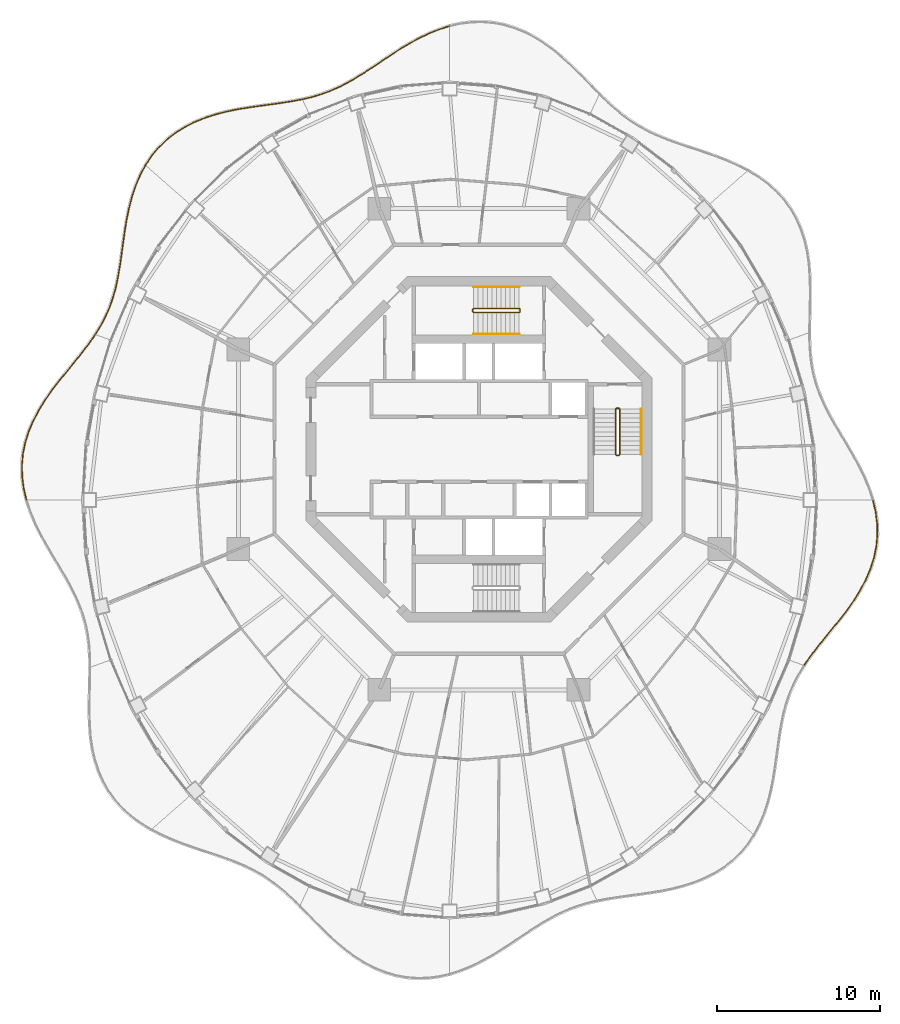
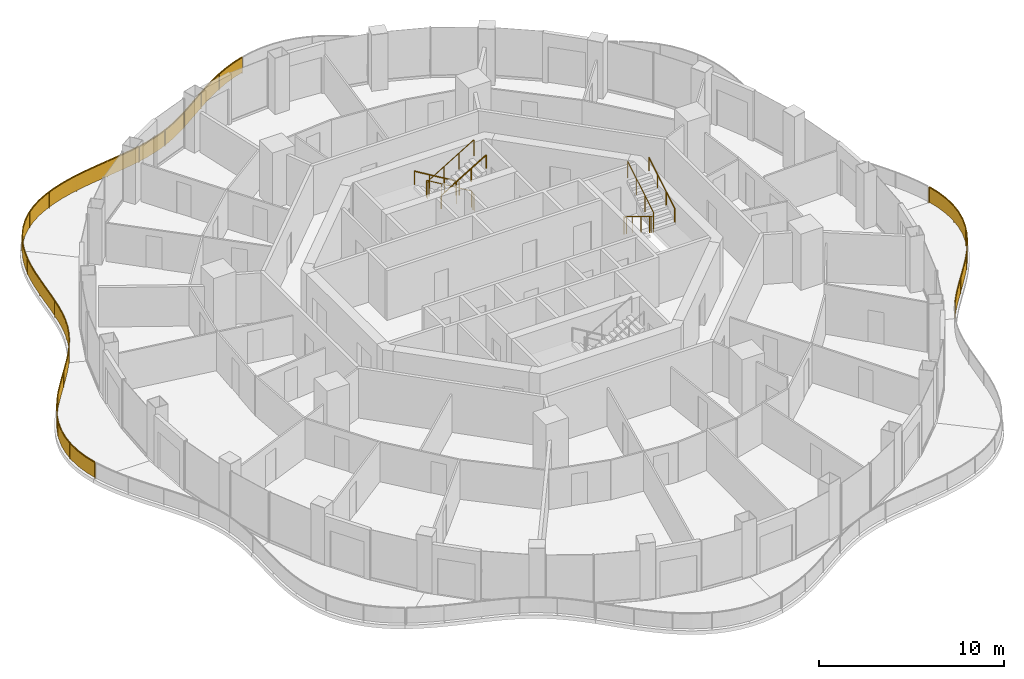
# One storey, part 16 of 17: 10 railings.
"""IFC4 building model written with IfcOpenShell, lengths in metres."""

from ifc_helpers import new_model, si_unit, direction, frame, origin, origin_2d, place, context, subcontext, project, spatial, polyline, rectangle, circle, outline, extrude, material, type_object, element, save


model = new_model("IFC4")

# Units and contexts
model_context = context("Model", 3, precision=1e-05, world=origin(), true_north=direction((0.0, 1.0)))
body_context = subcontext(model_context, "Body", "Model", "MODEL_VIEW")
ifc_project = project(units=[si_unit("LENGTHUNIT", "METRE"), si_unit("AREAUNIT", "SQUARE_METRE"), si_unit("VOLUMEUNIT", "CUBIC_METRE"), si_unit("PLANEANGLEUNIT", "RADIAN"), si_unit("MASSUNIT", "GRAM", prefix="KILO")], contexts=[model_context])

# Site, building, storey
site_placement = place(None, origin())
site = spatial("IfcSite", under=ifc_project, at=site_placement, CompositionType="ELEMENT")
building_placement = place(site_placement, origin())
building = spatial("IfcBuilding", under=site, at=building_placement, Name="Nagisa Residences", CompositionType="ELEMENT")
storey_placement = place(building_placement, frame((0.0, 0.0, 295.5)))
storey = spatial("IfcBuildingStorey", under=building, at=storey_placement, Name="L75", CompositionType="ELEMENT", Elevation=295.5)

# Railings
ifc_material_1 = material(Name="Stainless steel 316", Category="steel")
railing_type_1 = type_object("IfcRailingType", Name="BALCONY GUARD 1100", PredefinedType="BALUSTRADE", material=ifc_material_1)
railing_1_placement = place(storey_placement, frame((-1.8369140625, 25.9892578125, 0.0)))
element("IfcRailing", 1, at=railing_1_placement, inside=storey, type_object=railing_type_1, Name="guard:L75:bal04-0", PredefinedType="BALUSTRADE", context=body_context, shape_type="SweptSolid", body=[
    extrude(outline(polyline([(-0.59765625, -0.21728515625), (0.007568359375, -0.02392578125), (-0.007568359375, 0.02392578125), (-0.61474609375, -0.169921875), (-1.2548828125, -0.427001953125), (-1.87890625, -0.725830078125), (-2.484619140625, -1.05712890625), (-3.072509765625, -1.4111328125), (-3.624755859375, -1.774658203125), (-4.178466796875, -2.14306640625), (-4.71875, -2.504638671875), (-5.249267578125, -2.85107421875), (-5.774169921875, -3.175537109375), (-6.280517578125, -3.467041015625), (-6.80712890625, -3.732177734375), (-7.341064453125, -3.96435546875), (-7.886962890625, -4.163330078125), (-8.447998046875, -4.33056640625), (-8.984375, -4.458740234375), (-8.97265625, -4.507568359375), (-8.434814453125, -4.37890625), (-7.871337890625, -4.210693359375), (-7.322509765625, -4.0107421875), (-6.78564453125, -3.777587890625), (-6.256591796875, -3.510986328125), (-5.748291015625, -3.218505859375), (-5.222412109375, -2.8935546875), (-4.69091796875, -2.546630859375), (-4.150634765625, -2.1845703125), (-3.596923828125, -1.816162109375), (-3.045654296875, -1.45361328125), (-2.459716796875, -1.1005859375), (-1.85595703125, -0.770263671875), (-1.23486328125, -0.472900390625), (-0.59765625, -0.21728515625)])), frame((0.0, 0.0, 1.050048828125)), (0.0, 0.0, 1.0), 0.050048828125),
    extrude(outline(polyline([(-0.603759765625, -0.2001953125), (0.002197265625, -0.006591796875), (-0.002197265625, 0.006591796875), (-0.608642578125, -0.18701171875), (-1.247802734375, -0.443603515625), (-1.87060546875, -0.74169921875), (-2.4755859375, -1.07275390625), (-3.062744140625, -1.426513671875), (-3.61474609375, -1.78955078125), (-4.16845703125, -2.157958984375), (-4.708740234375, -2.519775390625), (-5.239501953125, -2.866455078125), (-5.764892578125, -3.19091796875), (-6.27197265625, -3.48291015625), (-6.79931640625, -3.74853515625), (-7.33447265625, -3.98095703125), (-7.88134765625, -4.180419921875), (-8.443115234375, -4.347900390625), (-8.980224609375, -4.476318359375), (-8.976806640625, -4.489990234375), (-8.439697265625, -4.361572265625), (-7.876953125, -4.193603515625), (-7.3291015625, -3.994140625), (-6.79345703125, -3.76123046875), (-6.26513671875, -3.4951171875), (-5.757568359375, -3.203125), (-5.232177734375, -2.878173828125), (-4.700927734375, -2.531494140625), (-4.16064453125, -2.169677734375), (-3.60693359375, -1.80126953125), (-3.055419921875, -1.438232421875), (-2.46875, -1.0849609375), (-1.8642578125, -0.75439453125), (-1.241943359375, -0.456298828125), (-0.603759765625, -0.2001953125)])), frame((0.0, 0.0, 0.06005859375)), (0.0, 0.0, 1.0), 0.989990234375),
    extrude(rectangle(XDim=0.0400390625, YDim=0.0400390625, at=origin_2d()), origin(), (0.0, 0.0, 1.0), 1.050048828125),
    extrude(rectangle(XDim=0.0400390625, YDim=0.0400390625, at=origin_2d()), frame((-1.871826171875, -0.75048828125, 0.0)), (0.0, 0.0, 1.0), 1.050048828125),
    extrude(rectangle(XDim=0.0400390625, YDim=0.0400390625, at=origin_2d()), frame((-3.602294921875, -1.789794921875, 0.0)), (0.0, 0.0, 1.0), 1.050048828125),
    extrude(rectangle(XDim=0.0400390625, YDim=0.0400390625, at=origin_2d()), frame((-5.286865234375, -2.90380859375, 0.0)), (0.0, 0.0, 1.0), 1.050048828125),
    extrude(rectangle(XDim=0.0400390625, YDim=0.0400390625, at=origin_2d()), frame((-7.058349609375, -3.86865234375, 0.0)), (0.0, 0.0, 1.0), 1.050048828125),
    extrude(rectangle(XDim=0.0400390625, YDim=0.0400390625, at=origin_2d()), frame((-8.978515625, -4.483154296875, 0.0)), (0.0, 0.0, 1.0), 1.050048828125),
])
railing_2_placement = place(storey_placement, frame((-10.885498046875, 21.492919921875, 0.0)))
element("IfcRailing", 2, at=railing_2_placement, inside=storey, type_object=railing_type_1, Name="guard:L75:bal05-0", PredefinedType="BALUSTRADE", context=body_context, shape_type="SweptSolid", body=[
    extrude(outline(polyline([(-0.57373046875, -0.135498046875), (0.004638671875, -0.024658203125), (-0.004638671875, 0.024658203125), (-0.58251953125, -0.086181640625), (-1.22314453125, -0.188232421875), (-1.8828125, -0.2802734375), (-2.55859375, -0.371337890625), (-3.24609375, -0.47119140625), (-3.926025390625, -0.578857421875), (-4.619873046875, -0.72216796875), (-5.305908203125, -0.899658203125), (-5.97607421875, -1.1181640625), (-6.623046875, -1.38330078125), (-7.2265625, -1.68798828125), (-7.80419921875, -2.055908203125), (-8.33740234375, -2.476806640625), (-8.8212890625, -2.948974609375), (-9.2529296875, -3.469970703125), (-9.60302734375, -3.995849609375), (-9.5615234375, -4.023681640625), (-9.212890625, -3.499755859375), (-8.78466796875, -2.983154296875), (-8.30419921875, -2.514404296875), (-7.775390625, -2.096923828125), (-7.20166015625, -1.7314453125), (-6.60205078125, -1.4287109375), (-5.958984375, -1.1650390625), (-5.291748046875, -0.947509765625), (-4.608642578125, -0.77099609375), (-3.917236328125, -0.628173828125), (-3.23876953125, -0.5205078125), (-2.5517578125, -0.421142578125), (-1.8759765625, -0.330078125), (-1.2158203125, -0.237548828125), (-0.57373046875, -0.135498046875)])), frame((0.0, 0.0, 1.050048828125)), (0.0, 0.0, 1.0), 0.050048828125),
    extrude(outline(polyline([(-0.576904296875, -0.11767578125), (0.001220703125, -0.0068359375), (-0.001220703125, 0.0068359375), (-0.579345703125, -0.10400390625), (-1.220458984375, -0.2060546875), (-1.88037109375, -0.29833984375), (-2.55615234375, -0.389404296875), (-3.243408203125, -0.489013671875), (-3.9228515625, -0.5966796875), (-4.61572265625, -0.73974609375), (-5.30078125, -0.916748046875), (-5.969970703125, -1.135009765625), (-6.615478515625, -1.399658203125), (-7.217529296875, -1.70361328125), (-7.7939453125, -2.07080078125), (-8.325439453125, -2.490234375), (-8.80810546875, -2.96142578125), (-9.238525390625, -3.480712890625), (-9.588134765625, -4.005859375), (-9.576416015625, -4.013671875), (-9.227294921875, -3.489013671875), (-8.7978515625, -2.970703125), (-8.316162109375, -2.5009765625), (-7.78564453125, -2.08203125), (-7.210693359375, -1.7158203125), (-6.609619140625, -1.412353515625), (-5.965087890625, -1.148193359375), (-5.296875, -0.930419921875), (-4.61279296875, -0.75341796875), (-3.92041015625, -0.6103515625), (-3.241455078125, -0.502685546875), (-2.55419921875, -0.403076171875), (-1.87841796875, -0.31201171875), (-1.218505859375, -0.2197265625), (-0.576904296875, -0.11767578125)])), frame((0.0, 0.0, 0.06005859375)), (0.0, 0.0, 1.0), 0.989990234375),
    extrude(rectangle(XDim=0.0400390625, YDim=0.0400390625, at=origin_2d()), origin(), (0.0, 0.0, 1.0), 1.050048828125),
    extrude(rectangle(XDim=0.0400390625, YDim=0.0400390625, at=origin_2d()), frame((-2.131591796875, -0.339111328125, 0.0)), (0.0, 0.0, 1.0), 1.050048828125),
    extrude(rectangle(XDim=0.0400390625, YDim=0.0400390625, at=origin_2d()), frame((-4.263671875, -0.674072265625, 0.0)), (0.0, 0.0, 1.0), 1.050048828125),
    extrude(rectangle(XDim=0.0400390625, YDim=0.0400390625, at=origin_2d()), frame((-6.328857421875, -1.289794921875, 0.0)), (0.0, 0.0, 1.0), 1.050048828125),
    extrude(rectangle(XDim=0.0400390625, YDim=0.0400390625, at=origin_2d()), frame((-8.178955078125, -2.383544921875, 0.0)), (0.0, 0.0, 1.0), 1.050048828125),
    extrude(rectangle(XDim=0.0400390625, YDim=0.0400390625, at=origin_2d()), frame((-9.582275390625, -4.009765625, 0.0)), (0.0, 0.0, 1.0), 1.050048828125),
])
railing_3_placement = place(storey_placement, frame((-20.507080078125, 17.41650390625, 0.0)))
element("IfcRailing", 3, at=railing_3_placement, inside=storey, type_object=railing_type_1, Name="guard:L75:bal06-0", PredefinedType="BALUSTRADE", context=body_context, shape_type="SweptSolid", body=[
    extrude(outline(polyline([(-0.291259765625, -0.601806640625), (0.022216796875, -0.01171875), (-0.022216796875, 0.01171875), (-0.336669921875, -0.580322265625), (-0.61767578125, -1.24853515625), (-0.846435546875, -1.94287109375), (-1.029541015625, -2.654541015625), (-1.175537109375, -3.375244140625), (-1.28515625, -4.083984375), (-1.38623046875, -4.798583984375), (-1.48095703125, -5.50048828125), (-1.580322265625, -6.1845703125), (-1.69482421875, -6.84716796875), (-1.826904296875, -7.4736328125), (-1.99755859375, -8.08935546875), (-2.2060546875, -8.68310546875), (-2.45654296875, -9.2568359375), (-2.75, -9.814208984375), (-3.06396484375, -10.323974609375), (-3.021484375, -10.350341796875), (-2.70654296875, -9.839111328125), (-2.41162109375, -9.2783203125), (-2.15966796875, -8.70166015625), (-1.94970703125, -8.1044921875), (-1.778076171875, -7.4853515625), (-1.6455078125, -6.8564453125), (-1.531005859375, -6.1923828125), (-1.43115234375, -5.50732421875), (-1.33642578125, -4.805419921875), (-1.23583984375, -4.09130859375), (-1.126220703125, -3.384033203125), (-0.980712890625, -2.665771484375), (-0.798583984375, -1.95703125), (-0.57080078125, -1.26611328125), (-0.291259765625, -0.601806640625)])), frame((0.0, 0.0, 1.050048828125)), (0.0, 0.0, 1.0), 0.050048828125),
    extrude(outline(polyline([(-0.3076171875, -0.593994140625), (0.006103515625, -0.003173828125), (-0.006103515625, 0.003173828125), (-0.3203125, -0.588134765625), (-0.600830078125, -1.2548828125), (-0.829345703125, -1.947998046875), (-1.011962890625, -2.65869140625), (-1.15771484375, -3.37841796875), (-1.267333984375, -4.086669921875), (-1.3681640625, -4.801025390625), (-1.462890625, -5.5029296875), (-1.5625, -6.187255859375), (-1.677001953125, -6.8505859375), (-1.809326171875, -7.477783203125), (-1.980224609375, -8.0947265625), (-2.189453125, -8.689697265625), (-2.4404296875, -9.2646484375), (-2.734375, -9.8232421875), (-3.048583984375, -10.33349609375), (-3.036865234375, -10.3408203125), (-2.72216796875, -9.830078125), (-2.427734375, -9.2705078125), (-2.17626953125, -8.695068359375), (-1.967041015625, -8.09912109375), (-1.795654296875, -7.481201171875), (-1.663330078125, -6.85302734375), (-1.548828125, -6.189697265625), (-1.44921875, -5.5048828125), (-1.3544921875, -4.802978515625), (-1.253662109375, -4.088623046875), (-1.14404296875, -3.380859375), (-0.998291015625, -2.66162109375), (-0.815673828125, -1.951904296875), (-0.587646484375, -1.259765625), (-0.3076171875, -0.593994140625)])), frame((0.0, 0.0, 0.06005859375)), (0.0, 0.0, 1.0), 0.989990234375),
    extrude(rectangle(XDim=0.0400390625, YDim=0.0400390625, at=origin_2d()), origin(), (0.0, 0.0, 1.0), 1.050048828125),
    extrude(rectangle(XDim=0.0400390625, YDim=0.0400390625, at=origin_2d()), frame((-0.835693359375, -2.00146484375, 0.0)), (0.0, 0.0, 1.0), 1.050048828125),
    extrude(rectangle(XDim=0.0400390625, YDim=0.0400390625, at=origin_2d()), frame((-1.2666015625, -4.130859375, 0.0)), (0.0, 0.0, 1.0), 1.050048828125),
    extrude(rectangle(XDim=0.0400390625, YDim=0.0400390625, at=origin_2d()), frame((-1.572021484375, -6.28369140625, 0.0)), (0.0, 0.0, 1.0), 1.050048828125),
    extrude(rectangle(XDim=0.0400390625, YDim=0.0400390625, at=origin_2d()), frame((-2.078369140625, -8.394775390625, 0.0)), (0.0, 0.0, 1.0), 1.050048828125),
    extrude(rectangle(XDim=0.0400390625, YDim=0.0400390625, at=origin_2d()), frame((-3.042724609375, -10.337158203125, 0.0)), (0.0, 0.0, 1.0), 1.050048828125),
])
railing_4_placement = place(storey_placement, frame((-23.59033203125, 7.02099609375, 0.0)))
element("IfcRailing", 4, at=railing_4_placement, inside=storey, type_object=railing_type_1, Name="guard:L75:bal07-0", PredefinedType="BALUSTRADE", context=body_context, shape_type="SweptSolid", body=[
    extrude(outline(polyline([(-0.34375, -0.5361328125), (0.0205078125, -0.014404296875), (-0.0205078125, 0.014404296875), (-0.38427734375, -0.5068359375), (-0.805908203125, -1.060546875), (-1.25341796875, -1.6181640625), (-1.71630859375, -2.184326171875), (-2.18212890625, -2.763671875), (-2.634521484375, -3.346435546875), (-3.066650390625, -3.96142578125), (-3.461669921875, -4.5966796875), (-3.8076171875, -5.251708984375), (-4.093017578125, -5.925048828125), (-4.30810546875, -6.60107421875), (-4.44970703125, -7.30322265625), (-4.51220703125, -8.014404296875), (-4.49462890625, -8.72900390625), (-4.400146484375, -9.443359375), (-4.242431640625, -10.10693359375), (-4.193603515625, -10.09521484375), (-4.350830078125, -9.43408203125), (-4.44482421875, -8.72509765625), (-4.4619140625, -8.015869140625), (-4.39990234375, -7.310546875), (-4.259765625, -6.61376953125), (-4.046142578125, -5.942626953125), (-3.76220703125, -5.273193359375), (-3.418212890625, -4.62158203125), (-3.024658203125, -3.9892578125), (-2.594482421875, -3.376220703125), (-2.14306640625, -2.794921875), (-1.67724609375, -2.216064453125), (-1.21435546875, -1.64990234375), (-0.766357421875, -1.09130859375), (-0.34375, -0.5361328125)])), frame((0.0, 0.0, 1.050048828125)), (0.0, 0.0, 1.0), 0.050048828125),
    extrude(outline(polyline([(-0.3583984375, -0.525634765625), (0.005859375, -0.00390625), (-0.005859375, 0.00390625), (-0.36962890625, -0.517333984375), (-0.791748046875, -1.071533203125), (-1.2392578125, -1.629638671875), (-1.7021484375, -2.19580078125), (-2.16796875, -2.77490234375), (-2.6201171875, -3.357177734375), (-3.051513671875, -3.971435546875), (-3.446044921875, -4.605712890625), (-3.791259765625, -5.259521484375), (-4.076171875, -5.931396484375), (-4.290771484375, -6.605712890625), (-4.431640625, -7.305908203125), (-4.494140625, -8.014892578125), (-4.476806640625, -8.7275390625), (-4.38232421875, -9.43994140625), (-4.224853515625, -10.102783203125), (-4.211181640625, -10.099365234375), (-4.36865234375, -9.4375), (-4.462646484375, -8.7265625), (-4.47998046875, -8.015380859375), (-4.41796875, -7.307861328125), (-4.277099609375, -6.609130859375), (-4.06298828125, -5.936279296875), (-3.778564453125, -5.265380859375), (-3.433837890625, -4.612548828125), (-3.039794921875, -3.979248046875), (-2.60888671875, -3.365478515625), (-2.1572265625, -2.78369140625), (-1.69140625, -2.20458984375), (-1.228515625, -1.638427734375), (-0.780517578125, -1.080322265625), (-0.3583984375, -0.525634765625)])), frame((0.0, 0.0, 0.06005859375)), (0.0, 0.0, 1.0), 0.989990234375),
    extrude(rectangle(XDim=0.0400390625, YDim=0.0400390625, at=origin_2d()), origin(), (0.0, 0.0, 1.0), 1.050048828125),
    extrude(rectangle(XDim=0.0400390625, YDim=0.0400390625, at=origin_2d()), frame((-1.388916015625, -1.82373046875, 0.0)), (0.0, 0.0, 1.0), 1.050048828125),
    extrude(rectangle(XDim=0.0400390625, YDim=0.0400390625, at=origin_2d()), frame((-2.802490234375, -3.62890625, 0.0)), (0.0, 0.0, 1.0), 1.050048828125),
    extrude(rectangle(XDim=0.0400390625, YDim=0.0400390625, at=origin_2d()), frame((-3.93505859375, -5.61669921875, 0.0)), (0.0, 0.0, 1.0), 1.050048828125),
    extrude(rectangle(XDim=0.0400390625, YDim=0.0400390625, at=origin_2d()), frame((-4.47119140625, -7.833251953125, 0.0)), (0.0, 0.0, 1.0), 1.050048828125),
    extrude(rectangle(XDim=0.0400390625, YDim=0.0400390625, at=origin_2d()), frame((-4.218017578125, -10.10107421875, 0.0)), (0.0, 0.0, 1.0), 1.050048828125),
])
railing_5_placement = place(storey_placement, frame((19.990478515625, -13.25634765625, 0.0)))
element("IfcRailing", 5, at=railing_5_placement, inside=storey, type_object=railing_type_1, Name="guard:L75:bal15-0", PredefinedType="BALUSTRADE", context=body_context, shape_type="SweptSolid", body=[
    extrude(outline(polyline([(0.343505859375, 0.5361328125), (-0.0205078125, 0.014404296875), (0.0205078125, -0.014404296875), (0.384033203125, 0.5068359375), (0.8056640625, 1.060546875), (1.25341796875, 1.617919921875), (1.71630859375, 2.184326171875), (2.181884765625, 2.763671875), (2.63427734375, 3.34619140625), (3.066650390625, 3.96142578125), (3.46142578125, 4.596435546875), (3.807373046875, 5.25146484375), (4.0927734375, 5.925048828125), (4.30810546875, 6.600830078125), (4.44970703125, 7.30322265625), (4.511962890625, 8.01416015625), (4.49462890625, 8.72900390625), (4.39990234375, 9.443359375), (4.2421875, 10.10693359375), (4.193359375, 10.09521484375), (4.3505859375, 9.43408203125), (4.44482421875, 8.72509765625), (4.461669921875, 8.015625), (4.39990234375, 7.310546875), (4.259765625, 6.613525390625), (4.0458984375, 5.942626953125), (3.761962890625, 5.27294921875), (3.41796875, 4.621337890625), (3.024658203125, 3.9892578125), (2.59423828125, 3.3759765625), (2.142822265625, 2.794921875), (1.67724609375, 2.216064453125), (1.21435546875, 1.649658203125), (0.76611328125, 1.09130859375), (0.343505859375, 0.5361328125)])), frame((0.0, 0.0, 1.050048828125)), (0.0, 0.0, 1.0), 0.050048828125),
    extrude(outline(polyline([(0.358154296875, 0.525634765625), (-0.005859375, 0.00390625), (0.005859375, -0.00390625), (0.369384765625, 0.517333984375), (0.79150390625, 1.071533203125), (1.2392578125, 1.62939453125), (1.7021484375, 2.19580078125), (2.167724609375, 2.77490234375), (2.619873046875, 3.35693359375), (3.051513671875, 3.971435546875), (3.44580078125, 4.60546875), (3.791015625, 5.25927734375), (4.075927734375, 5.931396484375), (4.290771484375, 6.60546875), (4.431640625, 7.305908203125), (4.493896484375, 8.0146484375), (4.476806640625, 8.7275390625), (4.382080078125, 9.43994140625), (4.224609375, 10.102783203125), (4.2109375, 10.099365234375), (4.368408203125, 9.4375), (4.462646484375, 8.7265625), (4.479736328125, 8.01513671875), (4.41796875, 7.307861328125), (4.277099609375, 6.60888671875), (4.062744140625, 5.936279296875), (3.7783203125, 5.26513671875), (3.43359375, 4.6123046875), (3.039794921875, 3.979248046875), (2.608642578125, 3.365234375), (2.156982421875, 2.78369140625), (1.69140625, 2.20458984375), (1.228515625, 1.63818359375), (0.7802734375, 1.080322265625), (0.358154296875, 0.525634765625)])), frame((0.0, 0.0, 0.06005859375)), (0.0, 0.0, 1.0), 0.989990234375),
    extrude(rectangle(XDim=0.0400390625, YDim=0.0400390625, at=origin_2d()), origin(), (0.0, 0.0, 1.0), 1.050048828125),
    extrude(rectangle(XDim=0.0400390625, YDim=0.0400390625, at=origin_2d()), frame((1.388916015625, 1.82373046875, 0.0)), (0.0, 0.0, 1.0), 1.050048828125),
    extrude(rectangle(XDim=0.0400390625, YDim=0.0400390625, at=origin_2d()), frame((2.80224609375, 3.62890625, 0.0)), (0.0, 0.0, 1.0), 1.050048828125),
    extrude(rectangle(XDim=0.0400390625, YDim=0.0400390625, at=origin_2d()), frame((3.93505859375, 5.61669921875, 0.0)), (0.0, 0.0, 1.0), 1.050048828125),
    extrude(rectangle(XDim=0.0400390625, YDim=0.0400390625, at=origin_2d()), frame((4.470947265625, 7.833251953125, 0.0)), (0.0, 0.0, 1.0), 1.050048828125),
    extrude(rectangle(XDim=0.0400390625, YDim=0.0400390625, at=origin_2d()), frame((4.2177734375, 10.10107421875, 0.0)), (0.0, 0.0, 1.0), 1.050048828125),
])
ifc_material_2 = material(Name="Stainless steel", Category="steel")
railing_type_2 = type_object("IfcRailingType", Name="Stair guard 1100", PredefinedType="GUARDRAIL", material=ifc_material_2)
railing_6_placement = place(storey_placement, frame((8.599609375, 2.52490234375, 0.0)))
element("IfcRailing", 6, at=railing_6_placement, inside=storey, type_object=railing_type_2, Name="L75 ST-E stair guard 1", PredefinedType="GUARDRAIL", context=body_context, shape_type="SweptSolid", body=[
    extrude(circle(Radius=0.02392578125, at=origin_2d()), frame((0.0, 0.0, 1.076171875), z_axis=(-1.0, 0.0, 0.0), x_axis=(0.0, -1.0, 0.0)), (0.0, 0.0, 1.0), 0.14990234375),
    extrude(circle(Radius=0.02392578125, at=origin_2d()), frame((-0.14990234375, 0.0, 1.076171875), z_axis=(-0.27434429532, -0.273006030465, 0.922064485248), x_axis=(0.705375805398, -0.708833529934, 0.0)), (0.0, 0.0, 1.0), 0.182373046875),
    extrude(circle(Radius=0.02392578125, at=origin_2d()), frame((-0.199951171875, -0.0498046875, 1.244140625), z_axis=(0.0, -0.857242210791, 0.514913383045), x_axis=(1.0, 0.0, 0.0)), (0.0, 0.0, 1.0), 3.266357421875),
    extrude(circle(Radius=0.02392578125, at=origin_2d()), frame((-0.199951171875, -2.849853515625, 2.92626953125), z_axis=(0.707106781187, -0.707106781187, 0.0), x_axis=(0.707106781187, 0.707106781187, 0.0)), (0.0, 0.0, 1.0), 0.07080078125),
    extrude(circle(Radius=0.02392578125, at=origin_2d()), frame((-0.14990234375, -2.89990234375, 2.92626953125), z_axis=(1.0, 0.0, 0.0), x_axis=(0.0, 1.0, 0.0)), (0.0, 0.0, 1.0), 0.14990234375),
    extrude(circle(Radius=0.02392578125, at=origin_2d()), frame((0.0, -2.89990234375, 2.92626953125), z_axis=(0.274582412415, 0.274582412415, 0.921525364591), x_axis=(-0.707106781187, 0.707106781187, 0.0)), (0.0, 0.0, 1.0), 0.182373046875),
    extrude(circle(Radius=0.02392578125, at=origin_2d()), frame((0.050048828125, -2.849853515625, 3.09423828125), z_axis=(0.0, 0.857242210791, 0.514913383045), x_axis=(-1.0, 0.0, 0.0)), (0.0, 0.0, 1.0), 3.266357421875),
    extrude(circle(Radius=0.02099609375, at=origin_2d()), origin(), (0.0, 0.0, 1.0), 1.052001953125),
    extrude(circle(Radius=0.02099609375, at=origin_2d()), frame((-0.14990234375, 0.0, 0.0)), (0.0, 0.0, 1.0), 1.052001953125),
    extrude(circle(Radius=0.02099609375, at=origin_2d()), frame((-0.199951171875, -0.0498046875, 0.168212890625)), (0.0, 0.0, 1.0), 1.052001953125),
    extrude(circle(Radius=0.02099609375, at=origin_2d()), frame((-0.199951171875, -0.983154296875, 0.728759765625)), (0.0, 0.0, 1.0), 1.052001953125),
    extrude(circle(Radius=0.02099609375, at=origin_2d()), frame((-0.199951171875, -1.91650390625, 1.28955078125)), (0.0, 0.0, 1.0), 1.052001953125),
    extrude(circle(Radius=0.02099609375, at=origin_2d()), frame((-0.199951171875, -2.849853515625, 1.85009765625)), (0.0, 0.0, 1.0), 1.052001953125),
    extrude(circle(Radius=0.02099609375, at=origin_2d()), frame((-0.14990234375, -2.89990234375, 1.85009765625)), (0.0, 0.0, 1.0), 1.052001953125),
    extrude(circle(Radius=0.02099609375, at=origin_2d()), frame((0.0, -2.89990234375, 1.85009765625)), (0.0, 0.0, 1.0), 1.052001953125),
    extrude(circle(Radius=0.02099609375, at=origin_2d()), frame((0.050048828125, -2.849853515625, 2.01806640625)), (0.0, 0.0, 1.0), 1.052001953125),
    extrude(circle(Radius=0.02099609375, at=origin_2d()), frame((0.050048828125, -1.91650390625, 2.57861328125)), (0.0, 0.0, 1.0), 1.052001953125),
    extrude(circle(Radius=0.02099609375, at=origin_2d()), frame((0.050048828125, -0.983154296875, 3.139404296875)), (0.0, 0.0, 1.0), 1.052001953125),
    extrude(circle(Radius=0.02099609375, at=origin_2d()), frame((0.050048828125, -0.0498046875, 3.699951171875)), (0.0, 0.0, 1.0), 1.052001953125),
])
railing_7_placement = place(storey_placement, frame((2.52490234375, 8.44970703125, 0.0)))
element("IfcRailing", 7, at=railing_7_placement, inside=storey, type_object=railing_type_2, Name="L75 ST-N stair guard 1", PredefinedType="GUARDRAIL", context=body_context, shape_type="SweptSolid", body=[
    extrude(circle(Radius=0.02392578125, at=origin_2d()), frame((0.0, 0.0, 1.076171875), z_axis=(0.0, 1.0, 0.0), x_axis=(-1.0, 0.0, 0.0)), (0.0, 0.0, 1.0), 0.14990234375),
    extrude(circle(Radius=0.02392578125, at=origin_2d()), frame((0.0, 0.14990234375, 1.076171875), z_axis=(-0.273006030465, 0.27434429532, 0.922064485248), x_axis=(-0.708833529934, -0.705375805398, 0.0)), (0.0, 0.0, 1.0), 0.182373046875),
    extrude(circle(Radius=0.02392578125, at=origin_2d()), frame((-0.0498046875, 0.199951171875, 1.244140625), z_axis=(-0.857242210791, 0.0, 0.514913383045), x_axis=(0.0, -1.0, 0.0)), (0.0, 0.0, 1.0), 3.266357421875),
    extrude(circle(Radius=0.02392578125, at=origin_2d()), frame((-2.849853515625, 0.199951171875, 2.92626953125), z_axis=(-0.707106781187, -0.707106781187, 0.0), x_axis=(0.707106781187, -0.707106781187, 0.0)), (0.0, 0.0, 1.0), 0.07080078125),
    extrude(circle(Radius=0.02392578125, at=origin_2d()), frame((-2.89990234375, 0.14990234375, 2.92626953125), z_axis=(0.0, -1.0, 0.0), x_axis=(1.0, 0.0, 0.0)), (0.0, 0.0, 1.0), 0.14990234375),
    extrude(circle(Radius=0.02392578125, at=origin_2d()), frame((-2.89990234375, 0.0, 2.92626953125), z_axis=(0.274582412415, -0.274582412415, 0.921525364591), x_axis=(0.707106781187, 0.707106781187, 0.0)), (0.0, 0.0, 1.0), 0.182373046875),
    extrude(circle(Radius=0.02392578125, at=origin_2d()), frame((-2.849853515625, -0.050048828125, 3.09423828125), z_axis=(0.857242210791, 0.0, 0.514913383045), x_axis=(0.0, 1.0, 0.0)), (0.0, 0.0, 1.0), 3.266357421875),
    extrude(circle(Radius=0.02099609375, at=origin_2d()), origin(), (0.0, 0.0, 1.0), 1.052001953125),
    extrude(circle(Radius=0.02099609375, at=origin_2d()), frame((0.0, 0.14990234375, 0.0)), (0.0, 0.0, 1.0), 1.052001953125),
    extrude(circle(Radius=0.02099609375, at=origin_2d()), frame((-0.0498046875, 0.199951171875, 0.168212890625)), (0.0, 0.0, 1.0), 1.052001953125),
    extrude(circle(Radius=0.02099609375, at=origin_2d()), frame((-0.983154296875, 0.199951171875, 0.728759765625)), (0.0, 0.0, 1.0), 1.052001953125),
    extrude(circle(Radius=0.02099609375, at=origin_2d()), frame((-1.91650390625, 0.199951171875, 1.28955078125)), (0.0, 0.0, 1.0), 1.052001953125),
    extrude(circle(Radius=0.02099609375, at=origin_2d()), frame((-2.849853515625, 0.199951171875, 1.85009765625)), (0.0, 0.0, 1.0), 1.052001953125),
    extrude(circle(Radius=0.02099609375, at=origin_2d()), frame((-2.89990234375, 0.14990234375, 1.85009765625)), (0.0, 0.0, 1.0), 1.052001953125),
    extrude(circle(Radius=0.02099609375, at=origin_2d()), frame((-2.89990234375, 0.0, 1.85009765625)), (0.0, 0.0, 1.0), 1.052001953125),
    extrude(circle(Radius=0.02099609375, at=origin_2d()), frame((-2.849853515625, -0.050048828125, 2.01806640625)), (0.0, 0.0, 1.0), 1.052001953125),
    extrude(circle(Radius=0.02099609375, at=origin_2d()), frame((-1.91650390625, -0.050048828125, 2.57861328125)), (0.0, 0.0, 1.0), 1.052001953125),
    extrude(circle(Radius=0.02099609375, at=origin_2d()), frame((-0.983154296875, -0.050048828125, 3.139404296875)), (0.0, 0.0, 1.0), 1.052001953125),
    extrude(circle(Radius=0.02099609375, at=origin_2d()), frame((-0.0498046875, -0.050048828125, 3.699951171875)), (0.0, 0.0, 1.0), 1.052001953125),
])
ifc_material_3 = material(Name="Stainless steel", Category="steel")
railing_type_3 = type_object("IfcRailingType", Name="Stair handrail 900", PredefinedType="HANDRAIL", material=ifc_material_3)
railing_8_placement = place(storey_placement, frame((9.974609375, -0.324951171875, 2.01806640625)))
element("IfcRailing", 8, at=railing_8_placement, inside=storey, type_object=railing_type_3, Name="L75 ST-E stair handrail 2", PredefinedType="HANDRAIL", context=body_context, shape_type="SweptSolid", body=[
    extrude(circle(Radius=0.02392578125, at=origin_2d()), frame((0.0, 0.0, 0.8759765625), z_axis=(0.0, 0.857242210791, 0.514913383045), x_axis=(-1.0, 0.0, 0.0)), (0.0, 0.0, 1.0), 3.266357421875),
    extrude(circle(Radius=0.02099609375, at=origin_2d()), origin(), (0.0, 0.0, 1.0), 0.851806640625),
    extrude(circle(Radius=0.02099609375, at=origin_2d()), frame((0.0, 0.933349609375, 0.560546875)), (0.0, 0.0, 1.0), 0.851806640625),
    extrude(circle(Radius=0.02099609375, at=origin_2d()), frame((0.0, 1.86669921875, 1.121337890625)), (0.0, 0.0, 1.0), 0.851806640625),
    extrude(circle(Radius=0.02099609375, at=origin_2d()), frame((0.0, 2.800048828125, 1.681884765625)), (0.0, 0.0, 1.0), 0.851806640625),
])
railing_9_placement = place(storey_placement, frame((2.47509765625, 9.974609375, 0.168212890625)))
element("IfcRailing", 9, at=railing_9_placement, inside=storey, type_object=railing_type_3, Name="L75 ST-N stair handrail 1", PredefinedType="HANDRAIL", context=body_context, shape_type="SweptSolid", body=[
    extrude(circle(Radius=0.02392578125, at=origin_2d()), frame((0.0, 0.0, 0.8759765625), z_axis=(-0.857242210791, 0.0, 0.514913383045), x_axis=(0.0, -1.0, 0.0)), (0.0, 0.0, 1.0), 3.266357421875),
    extrude(circle(Radius=0.02099609375, at=origin_2d()), origin(), (0.0, 0.0, 1.0), 0.851806640625),
    extrude(circle(Radius=0.02099609375, at=origin_2d()), frame((-0.933349609375, 0.0, 0.560546875)), (0.0, 0.0, 1.0), 0.851806640625),
    extrude(circle(Radius=0.02099609375, at=origin_2d()), frame((-1.86669921875, 0.0, 1.121337890625)), (0.0, 0.0, 1.0), 0.851806640625),
    extrude(circle(Radius=0.02099609375, at=origin_2d()), frame((-2.800048828125, 0.0, 1.681884765625)), (0.0, 0.0, 1.0), 0.851806640625),
])
railing_10_placement = place(storey_placement, frame((-0.324951171875, 7.07470703125, 2.01806640625)))
element("IfcRailing", 10, at=railing_10_placement, inside=storey, type_object=railing_type_3, Name="L75 ST-N stair handrail 2", PredefinedType="HANDRAIL", context=body_context, shape_type="SweptSolid", body=[
    extrude(circle(Radius=0.02392578125, at=origin_2d()), frame((0.0, 0.0, 0.8759765625), z_axis=(0.857242210791, 0.0, 0.514913383045), x_axis=(0.0, 1.0, 0.0)), (0.0, 0.0, 1.0), 3.266357421875),
    extrude(circle(Radius=0.02099609375, at=origin_2d()), origin(), (0.0, 0.0, 1.0), 0.851806640625),
    extrude(circle(Radius=0.02099609375, at=origin_2d()), frame((0.933349609375, 0.0, 0.560546875)), (0.0, 0.0, 1.0), 0.851806640625),
    extrude(circle(Radius=0.02099609375, at=origin_2d()), frame((1.86669921875, 0.0, 1.121337890625)), (0.0, 0.0, 1.0), 0.851806640625),
    extrude(circle(Radius=0.02099609375, at=origin_2d()), frame((2.800048828125, 0.0, 1.681884765625)), (0.0, 0.0, 1.0), 0.851806640625),
])

save(model, "model.ifc")
